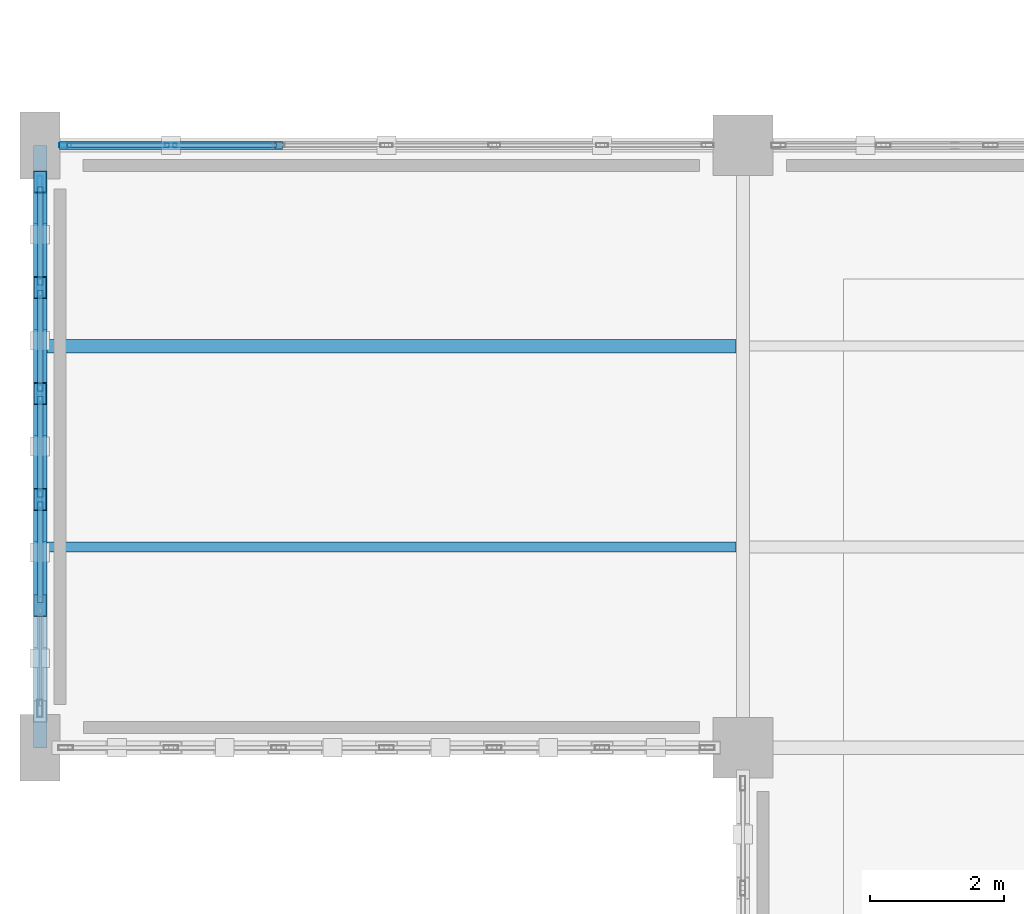
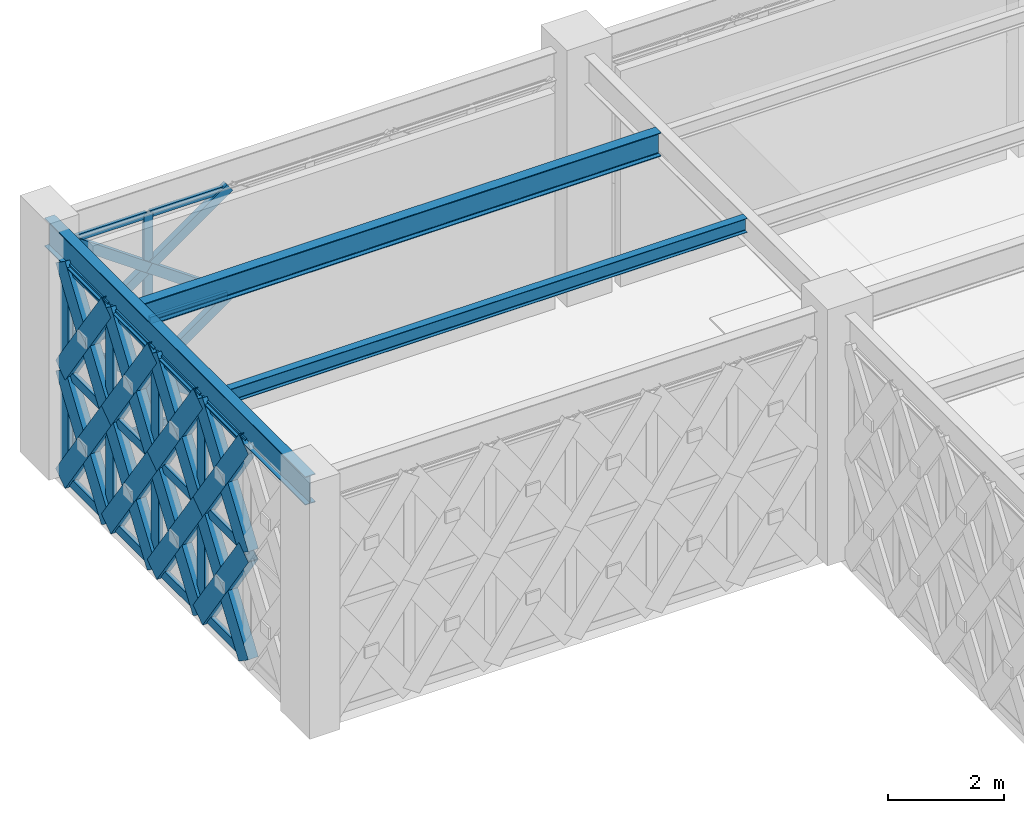
# One storey, part 20 of 155: 54 members, 3 beams, 2 elements without a shape of their own.
"""IFC4 building model written with IfcOpenShell, lengths in metres."""

from ifc_helpers import new_model, si_unit, direction, frame, origin, origin_2d, place, context, subcontext, project, spatial, hollow_rectangle, i_section, extrude, material, material_profile, profile_set, type_object, element, aggregate, save


model = new_model("IFC4")

# Units and contexts
model_context = context("Model", 3, precision=1e-05, world=origin(), true_north=direction((0.0, 1.0)))
body_context = subcontext(model_context, "Body", "Model", "MODEL_VIEW")
ifc_project = project(units=[si_unit("LENGTHUNIT", "METRE"), si_unit("AREAUNIT", "SQUARE_METRE"), si_unit("VOLUMEUNIT", "CUBIC_METRE"), si_unit("PLANEANGLEUNIT", "RADIAN"), si_unit("MASSUNIT", "GRAM", prefix="KILO")], contexts=[model_context])

# Site, building, storey
site_placement = place(None, origin())
site = spatial("IfcSite", under=ifc_project, at=site_placement, CompositionType="ELEMENT")
building_placement = place(site_placement, origin())
building = spatial("IfcBuilding", under=site, at=building_placement, Name="Haizhuo Lancet Aquarium", CompositionType="ELEMENT")
storey_placement = place(building_placement, frame((0.0, 0.0, 10.800048828125)))
storey = spatial("IfcBuildingStorey", under=building, at=storey_placement, Name="L02", CompositionType="ELEMENT", Elevation=10.800048828125)

# Beam
ifc_material_1 = material(Name="Steel S355", Category="steel")
ifc_material_profile_1 = material_profile(ifc_material_1, i_section(OverallWidth=0.199951171875, OverallDepth=0.60009765625, WebThickness=0.010986328125, FlangeThickness=0.01708984375, FilletRadius=0.02197265625, at=origin_2d()), Name="HN 600x200x11x17")
ifc_profile_set_1 = profile_set([ifc_material_profile_1], Name="Steel S355")
beam_type_1 = type_object("IfcBeamType", Name="BM-ST-HN600", PredefinedType="BEAM", material=ifc_profile_set_1)
beam_1_placement = place(storey_placement, frame((-82.5, -18.0, 4.85986328125), z_axis=(0.0, 1.0, 0.0), x_axis=(-1.0, 0.0, 0.0)))
element("IfcBeam", 1, at=beam_1_placement, inside=storey, type_object=beam_type_1, Name="L02 V6 primary girder BM-L02-V6-001", PredefinedType="BEAM", context=body_context, shape_type="SweptSolid", body=[
    extrude(i_section(OverallWidth=0.199951171875, OverallDepth=0.60009765625, WebThickness=0.010986328125, FlangeThickness=0.01708984375, FilletRadius=0.02197265625, at=origin_2d()), origin(), (0.0, 0.0, 1.0), 9.0),
])

# Curtain wall, members
ifc_material_2 = material(Name="Aluminium 6063-T6", Category="aluminium")
curtain_wall_type_1 = type_object("IfcCurtainWallType", Name="CWO-9660x4560", PredefinedType="NOTDEFINED", material=ifc_material_2)
curtain_wall_1_placement = place(storey_placement, origin())
curtain_wall_1 = element("IfcCurtainWall", 2, at=curtain_wall_1_placement, inside=storey, type_object=curtain_wall_type_1, Name="L02 curtain wall CW-V6-L02-214", PredefinedType="NOTDEFINED")
ifc_material_profile_2 = material_profile(ifc_material_2, hollow_rectangle(XDim=0.06494140625, YDim=0.179931640625, WallThickness=0.00390625, at=origin_2d()), Name="ALU-M 65x180x4")
ifc_profile_set_2 = profile_set([ifc_material_profile_2], Name="Aluminium 6063-T6")
member_type_1 = type_object("IfcMemberType", Name="CW-MUL-1", PredefinedType="MULLION", material=ifc_profile_set_2)
member_1_placement = place(storey_placement, frame((-82.123046875, -9.0, 0.0), z_axis=(0.0, 0.0, 1.0), x_axis=(0.0, 1.0, 0.0)))
member_1 = element("IfcMember", 3, at=member_1_placement, type_object=member_type_1, Name="CWO-96x45 mullion 1", PredefinedType="MULLION", context=body_context, shape_type="SweptSolid", body=[
    extrude(hollow_rectangle(XDim=0.06494140625, YDim=0.179931640625, WallThickness=0.00390625, at=origin_2d()), origin(), (0.0, 0.0, 1.0), 4.56005859375),
])
member_2_placement = place(storey_placement, frame((-80.544921875, -9.0, 0.0), z_axis=(0.0, 0.0, 1.0), x_axis=(0.0, 1.0, 0.0)))
member_2 = element("IfcMember", 4, at=member_2_placement, type_object=member_type_1, Name="CWO-96x45 mullion 2", PredefinedType="MULLION", context=body_context, shape_type="SweptSolid", body=[
    extrude(hollow_rectangle(XDim=0.06494140625, YDim=0.179931640625, WallThickness=0.00390625, at=origin_2d()), origin(), (0.0, 0.0, 1.0), 4.56005859375),
])

curtain_wall_type_2 = type_object("IfcCurtainWallType", Name="CWD-7910x4560", PredefinedType="NOTDEFINED", material=ifc_material_2)
curtain_wall_2_placement = place(storey_placement, origin())
curtain_wall_2 = element("IfcCurtainWall", 5, at=curtain_wall_2_placement, inside=storey, type_object=curtain_wall_type_2, Name="L02 curtain wall CW-V6-L02-213", PredefinedType="NOTDEFINED")
ifc_material_profile_3 = material_profile(ifc_material_2, hollow_rectangle(XDim=0.080078125, YDim=0.260009765625, WallThickness=0.0048828125, at=origin_2d()), Name="ALU-M 80x260x5")
ifc_profile_set_3 = profile_set([ifc_material_profile_3], Name="Aluminium 6063-T6")
member_type_2 = type_object("IfcMemberType", Name="CW-MUL-3", PredefinedType="MULLION", material=ifc_profile_set_3)
member_3_placement = place(storey_placement, frame((-82.5, -14.291015625, 0.0), z_axis=(0.0, 0.0, 1.0), x_axis=(-1.0, 0.0, 0.0)))
member_3 = element("IfcMember", 6, at=member_3_placement, type_object=member_type_2, Name="CWD-79x45 mullion 3", PredefinedType="MULLION", context=body_context, shape_type="SweptSolid", body=[
    extrude(hollow_rectangle(XDim=0.080078125, YDim=0.260009765625, WallThickness=0.0048828125, at=origin_2d()), origin(), (0.0, 0.0, 1.0), 4.56005859375),
])
member_4_placement = place(storey_placement, frame((-82.5, -12.708984375, 0.0), z_axis=(0.0, 0.0, 1.0), x_axis=(-1.0, 0.0, 0.0)))
member_4 = element("IfcMember", 7, at=member_4_placement, type_object=member_type_2, Name="CWD-79x45 mullion 4", PredefinedType="MULLION", context=body_context, shape_type="SweptSolid", body=[
    extrude(hollow_rectangle(XDim=0.080078125, YDim=0.260009765625, WallThickness=0.0048828125, at=origin_2d()), origin(), (0.0, 0.0, 1.0), 4.56005859375),
])
member_5_placement = place(storey_placement, frame((-82.5, -11.126953125, 0.0), z_axis=(0.0, 0.0, 1.0), x_axis=(-1.0, 0.0, 0.0)))
member_5 = element("IfcMember", 8, at=member_5_placement, type_object=member_type_2, Name="CWD-79x45 mullion 5", PredefinedType="MULLION", context=body_context, shape_type="SweptSolid", body=[
    extrude(hollow_rectangle(XDim=0.080078125, YDim=0.260009765625, WallThickness=0.0048828125, at=origin_2d()), origin(), (0.0, 0.0, 1.0), 4.56005859375),
])
member_6_placement = place(storey_placement, frame((-82.5, -9.5849609375, 0.0), z_axis=(0.0, 0.0, 1.0), x_axis=(-1.0, 0.0, 0.0)))
member_6 = element("IfcMember", 9, at=member_6_placement, type_object=member_type_2, Name="CWD-79x45 mullion 6", PredefinedType="MULLION", context=body_context, shape_type="SweptSolid", body=[
    extrude(hollow_rectangle(XDim=0.080078125, YDim=0.260009765625, WallThickness=0.0048828125, at=origin_2d()), origin(), (0.0, 0.0, 1.0), 4.56005859375),
])

# Member
ifc_material_profile_4 = material_profile(ifc_material_2, hollow_rectangle(XDim=0.06494140625, YDim=0.139892578125, WallThickness=0.00390625, at=origin_2d()), Name="ALU-T 65x140x4")
ifc_profile_set_4 = profile_set([ifc_material_profile_4], Name="Aluminium 6063-T6")
member_type_3 = type_object("IfcMemberType", Name="CW-TRN-1", PredefinedType="NOTDEFINED", material=ifc_profile_set_4)
member_7_placement = place(storey_placement, frame((-82.090087890625, -9.0, 0.032958984375), z_axis=(1.0, 0.0, 0.0), x_axis=(0.0, 1.0, 0.0)))
member_7 = element("IfcMember", 10, at=member_7_placement, type_object=member_type_3, Name="CWO-96x45 transom 1.1", ObjectType="TRANSOM", PredefinedType="USERDEFINED", context=body_context, shape_type="SweptSolid", body=[
    extrude(hollow_rectangle(XDim=0.06494140625, YDim=0.139892578125, WallThickness=0.00390625, at=origin_2d()), origin(), (0.0, 0.0, 1.0), 1.51220703125),
])

member_8_placement = place(storey_placement, frame((-82.090087890625, -9.0, 2.280029296875), z_axis=(1.0, 0.0, 0.0), x_axis=(0.0, 1.0, 0.0)))
member_8 = element("IfcMember", 11, at=member_8_placement, type_object=member_type_3, Name="CWO-96x45 transom 1.2", ObjectType="TRANSOM", PredefinedType="USERDEFINED", context=body_context, shape_type="SweptSolid", body=[
    extrude(hollow_rectangle(XDim=0.06494140625, YDim=0.139892578125, WallThickness=0.00390625, at=origin_2d()), origin(), (0.0, 0.0, 1.0), 1.51220703125),
])

member_9_placement = place(storey_placement, frame((-82.090087890625, -9.0, 4.52685546875), z_axis=(1.0, 0.0, 0.0), x_axis=(0.0, 1.0, 0.0)))
member_9 = element("IfcMember", 12, at=member_9_placement, type_object=member_type_3, Name="CWO-96x45 transom 1.3", ObjectType="TRANSOM", PredefinedType="USERDEFINED", context=body_context, shape_type="SweptSolid", body=[
    extrude(hollow_rectangle(XDim=0.06494140625, YDim=0.139892578125, WallThickness=0.00390625, at=origin_2d()), origin(), (0.0, 0.0, 1.0), 1.51220703125),
])

member_10_placement = place(storey_placement, frame((-80.512939453125, -9.0, 0.032958984375), z_axis=(1.0, 0.0, 0.0), x_axis=(0.0, 1.0, 0.0)))
member_10 = element("IfcMember", 13, at=member_10_placement, type_object=member_type_3, Name="CWO-96x45 transom 2.1", ObjectType="TRANSOM", PredefinedType="USERDEFINED", context=body_context, shape_type="SweptSolid", body=[
    extrude(hollow_rectangle(XDim=0.06494140625, YDim=0.139892578125, WallThickness=0.00390625, at=origin_2d()), origin(), (0.0, 0.0, 1.0), 1.544921875),
])

member_11_placement = place(storey_placement, frame((-80.512939453125, -9.0, 2.280029296875), z_axis=(1.0, 0.0, 0.0), x_axis=(0.0, 1.0, 0.0)))
member_11 = element("IfcMember", 14, at=member_11_placement, type_object=member_type_3, Name="CWO-96x45 transom 2.2", ObjectType="TRANSOM", PredefinedType="USERDEFINED", context=body_context, shape_type="SweptSolid", body=[
    extrude(hollow_rectangle(XDim=0.06494140625, YDim=0.139892578125, WallThickness=0.00390625, at=origin_2d()), origin(), (0.0, 0.0, 1.0), 1.544921875),
])

member_12_placement = place(storey_placement, frame((-80.512939453125, -9.0, 4.52685546875), z_axis=(1.0, 0.0, 0.0), x_axis=(0.0, 1.0, 0.0)))
member_12 = element("IfcMember", 15, at=member_12_placement, type_object=member_type_3, Name="CWO-96x45 transom 2.3", ObjectType="TRANSOM", PredefinedType="USERDEFINED", context=body_context, shape_type="SweptSolid", body=[
    extrude(hollow_rectangle(XDim=0.06494140625, YDim=0.139892578125, WallThickness=0.00390625, at=origin_2d()), origin(), (0.0, 0.0, 1.0), 1.544921875),
])

aggregate(curtain_wall_1, [member_1, member_2, member_7, member_8, member_9, member_10, member_11, member_12])

ifc_material_profile_5 = material_profile(ifc_material_2, hollow_rectangle(XDim=0.080078125, YDim=0.18994140625, WallThickness=0.0048828125, at=origin_2d()), Name="ALU-T 80x190x5")
ifc_profile_set_5 = profile_set([ifc_material_profile_5], Name="Aluminium 6063-T6")
member_type_4 = type_object("IfcMemberType", Name="CW-TRN-3", PredefinedType="NOTDEFINED", material=ifc_profile_set_5)
member_13_placement = place(storey_placement, frame((-82.5, -15.8330078125, 0.0400390625), z_axis=(0.0, 1.0, 0.0), x_axis=(-1.0, 0.0, 0.0)))
member_13 = element("IfcMember", 16, at=member_13_placement, type_object=member_type_4, Name="CWD-79x45 transom 2.1", ObjectType="TRANSOM", PredefinedType="USERDEFINED", context=body_context, shape_type="SweptSolid", body=[
    extrude(hollow_rectangle(XDim=0.080078125, YDim=0.18994140625, WallThickness=0.0048828125, at=origin_2d()), origin(), (0.0, 0.0, 1.0), 1.501953125),
])

member_14_placement = place(storey_placement, frame((-82.5, -15.8330078125, 2.280029296875), z_axis=(0.0, 1.0, 0.0), x_axis=(-1.0, 0.0, 0.0)))
member_14 = element("IfcMember", 17, at=member_14_placement, type_object=member_type_4, Name="CWD-79x45 transom 2.2", ObjectType="TRANSOM", PredefinedType="USERDEFINED", context=body_context, shape_type="SweptSolid", body=[
    extrude(hollow_rectangle(XDim=0.080078125, YDim=0.18994140625, WallThickness=0.0048828125, at=origin_2d()), origin(), (0.0, 0.0, 1.0), 1.501953125),
])

member_15_placement = place(storey_placement, frame((-82.5, -15.8330078125, 4.52001953125), z_axis=(0.0, 1.0, 0.0), x_axis=(-1.0, 0.0, 0.0)))
member_15 = element("IfcMember", 18, at=member_15_placement, type_object=member_type_4, Name="CWD-79x45 transom 2.3", ObjectType="TRANSOM", PredefinedType="USERDEFINED", context=body_context, shape_type="SweptSolid", body=[
    extrude(hollow_rectangle(XDim=0.080078125, YDim=0.18994140625, WallThickness=0.0048828125, at=origin_2d()), origin(), (0.0, 0.0, 1.0), 1.501953125),
])

member_16_placement = place(storey_placement, frame((-82.5, -14.2509765625, 0.0400390625), z_axis=(0.0, 1.0, 0.0), x_axis=(-1.0, 0.0, 0.0)))
member_16 = element("IfcMember", 19, at=member_16_placement, type_object=member_type_4, Name="CWD-79x45 transom 3.1", ObjectType="TRANSOM", PredefinedType="USERDEFINED", context=body_context, shape_type="SweptSolid", body=[
    extrude(hollow_rectangle(XDim=0.080078125, YDim=0.18994140625, WallThickness=0.0048828125, at=origin_2d()), origin(), (0.0, 0.0, 1.0), 1.501953125),
])

member_17_placement = place(storey_placement, frame((-82.5, -14.2509765625, 2.280029296875), z_axis=(0.0, 1.0, 0.0), x_axis=(-1.0, 0.0, 0.0)))
member_17 = element("IfcMember", 20, at=member_17_placement, type_object=member_type_4, Name="CWD-79x45 transom 3.2", ObjectType="TRANSOM", PredefinedType="USERDEFINED", context=body_context, shape_type="SweptSolid", body=[
    extrude(hollow_rectangle(XDim=0.080078125, YDim=0.18994140625, WallThickness=0.0048828125, at=origin_2d()), origin(), (0.0, 0.0, 1.0), 1.501953125),
])

member_18_placement = place(storey_placement, frame((-82.5, -14.2509765625, 4.52001953125), z_axis=(0.0, 1.0, 0.0), x_axis=(-1.0, 0.0, 0.0)))
member_18 = element("IfcMember", 21, at=member_18_placement, type_object=member_type_4, Name="CWD-79x45 transom 3.3", ObjectType="TRANSOM", PredefinedType="USERDEFINED", context=body_context, shape_type="SweptSolid", body=[
    extrude(hollow_rectangle(XDim=0.080078125, YDim=0.18994140625, WallThickness=0.0048828125, at=origin_2d()), origin(), (0.0, 0.0, 1.0), 1.501953125),
])

member_19_placement = place(storey_placement, frame((-82.5, -12.6689453125, 0.0400390625), z_axis=(0.0, 1.0, 0.0), x_axis=(-1.0, 0.0, 0.0)))
member_19 = element("IfcMember", 22, at=member_19_placement, type_object=member_type_4, Name="CWD-79x45 transom 4.1", ObjectType="TRANSOM", PredefinedType="USERDEFINED", context=body_context, shape_type="SweptSolid", body=[
    extrude(hollow_rectangle(XDim=0.080078125, YDim=0.18994140625, WallThickness=0.0048828125, at=origin_2d()), origin(), (0.0, 0.0, 1.0), 1.501953125),
])

member_20_placement = place(storey_placement, frame((-82.5, -12.6689453125, 2.280029296875), z_axis=(0.0, 1.0, 0.0), x_axis=(-1.0, 0.0, 0.0)))
member_20 = element("IfcMember", 23, at=member_20_placement, type_object=member_type_4, Name="CWD-79x45 transom 4.2", ObjectType="TRANSOM", PredefinedType="USERDEFINED", context=body_context, shape_type="SweptSolid", body=[
    extrude(hollow_rectangle(XDim=0.080078125, YDim=0.18994140625, WallThickness=0.0048828125, at=origin_2d()), origin(), (0.0, 0.0, 1.0), 1.501953125),
])

member_21_placement = place(storey_placement, frame((-82.5, -12.6689453125, 4.52001953125), z_axis=(0.0, 1.0, 0.0), x_axis=(-1.0, 0.0, 0.0)))
member_21 = element("IfcMember", 24, at=member_21_placement, type_object=member_type_4, Name="CWD-79x45 transom 4.3", ObjectType="TRANSOM", PredefinedType="USERDEFINED", context=body_context, shape_type="SweptSolid", body=[
    extrude(hollow_rectangle(XDim=0.080078125, YDim=0.18994140625, WallThickness=0.0048828125, at=origin_2d()), origin(), (0.0, 0.0, 1.0), 1.501953125),
])

member_22_placement = place(storey_placement, frame((-82.5, -11.0869140625, 0.0400390625), z_axis=(0.0, 1.0, 0.0), x_axis=(-1.0, 0.0, 0.0)))
member_22 = element("IfcMember", 25, at=member_22_placement, type_object=member_type_4, Name="CWD-79x45 transom 5.1", ObjectType="TRANSOM", PredefinedType="USERDEFINED", context=body_context, shape_type="SweptSolid", body=[
    extrude(hollow_rectangle(XDim=0.080078125, YDim=0.18994140625, WallThickness=0.0048828125, at=origin_2d()), origin(), (0.0, 0.0, 1.0), 1.4619140625),
])

member_23_placement = place(storey_placement, frame((-82.5, -11.0869140625, 2.280029296875), z_axis=(0.0, 1.0, 0.0), x_axis=(-1.0, 0.0, 0.0)))
member_23 = element("IfcMember", 26, at=member_23_placement, type_object=member_type_4, Name="CWD-79x45 transom 5.2", ObjectType="TRANSOM", PredefinedType="USERDEFINED", context=body_context, shape_type="SweptSolid", body=[
    extrude(hollow_rectangle(XDim=0.080078125, YDim=0.18994140625, WallThickness=0.0048828125, at=origin_2d()), origin(), (0.0, 0.0, 1.0), 1.4619140625),
])

member_24_placement = place(storey_placement, frame((-82.5, -11.0869140625, 4.52001953125), z_axis=(0.0, 1.0, 0.0), x_axis=(-1.0, 0.0, 0.0)))
member_24 = element("IfcMember", 27, at=member_24_placement, type_object=member_type_4, Name="CWD-79x45 transom 5.3", ObjectType="TRANSOM", PredefinedType="USERDEFINED", context=body_context, shape_type="SweptSolid", body=[
    extrude(hollow_rectangle(XDim=0.080078125, YDim=0.18994140625, WallThickness=0.0048828125, at=origin_2d()), origin(), (0.0, 0.0, 1.0), 1.4619140625),
])

aggregate(curtain_wall_2, [member_3, member_4, member_5, member_6, member_13, member_14, member_15, member_16, member_17, member_18, member_19, member_20, member_21, member_22, member_23, member_24])

# Beams
ifc_material_profile_6 = material_profile(ifc_material_1, i_section(OverallWidth=0.14990234375, OverallDepth=0.300048828125, WebThickness=0.006591796875, FlangeThickness=0.009033203125, FilletRadius=0.012939453125, at=origin_2d()), Name="HN 300x150x6.5x9")
ifc_profile_set_6 = profile_set([ifc_material_profile_6], Name="Steel S355")
beam_type_2 = type_object("IfcBeamType", Name="JST-ST-HN300", PredefinedType="JOIST", material=ifc_profile_set_6)
beam_2_placement = place(storey_placement, frame((-82.39990234375, -15.0, 5.010009765625), z_axis=(1.0, 0.0, 0.0), x_axis=(0.0, 1.0, 0.0)))
element("IfcBeam", 28, at=beam_2_placement, inside=storey, type_object=beam_type_2, Name="L02 V6 secondary floor joist 1", PredefinedType="JOIST", context=body_context, shape_type="SweptSolid", body=[
    extrude(i_section(OverallWidth=0.14990234375, OverallDepth=0.300048828125, WebThickness=0.006591796875, FlangeThickness=0.009033203125, FilletRadius=0.012939453125, at=origin_2d()), origin(), (0.0, 0.0, 1.0), 10.2998046875),
])
ifc_material_profile_7 = material_profile(ifc_material_1, i_section(OverallWidth=0.199951171875, OverallDepth=0.5, WebThickness=0.010009765625, FlangeThickness=0.01611328125, FilletRadius=0.02001953125, at=origin_2d()), Name="HN 500x200x10x16")
ifc_profile_set_7 = profile_set([ifc_material_profile_7], Name="Steel S355")
beam_type_3 = type_object("IfcBeamType", Name="JST-ST-HN500", PredefinedType="JOIST", material=ifc_profile_set_7)
beam_3_placement = place(storey_placement, frame((-82.39990234375, -12.0, 4.909912109375), z_axis=(1.0, 0.0, 0.0), x_axis=(0.0, 1.0, 0.0)))
element("IfcBeam", 29, at=beam_3_placement, inside=storey, type_object=beam_type_3, Name="L02 V6 secondary floor joist 2", PredefinedType="JOIST", context=body_context, shape_type="SweptSolid", body=[
    extrude(i_section(OverallWidth=0.199951171875, OverallDepth=0.5, WebThickness=0.010009765625, FlangeThickness=0.01611328125, FilletRadius=0.02001953125, at=origin_2d()), origin(), (0.0, 0.0, 1.0), 10.2998046875),
])

# Members
ifc_material_profile_8 = material_profile(ifc_material_1, hollow_rectangle(XDim=0.1201171875, YDim=0.199951171875, WallThickness=0.008056640625, at=origin_2d()), Name="RHS 120x200x8")
ifc_profile_set_8 = profile_set([ifc_material_profile_8], Name="Steel S355")
member_type_5 = type_object("IfcMemberType", Name="MEM-LB-RHS120x200", PredefinedType="BRACE", material=ifc_profile_set_8)
member_25_placement = place(storey_placement, frame((-82.155029296875, -9.0, 0.0), z_axis=(0.816118111101, 0.0, 0.577885134549), x_axis=(0.0, 1.0, 0.0)))
element("IfcMember", 30, at=member_25_placement, inside=storey, type_object=member_type_5, Name="Gothic lancet continuous diagonal brace CW-V6-L02-214 1A", PredefinedType="BRACE", context=body_context, shape_type="SweptSolid", body=[
    extrude(hollow_rectangle(XDim=0.1201171875, YDim=0.199951171875, WallThickness=0.008056640625, at=origin_2d()), origin(), (0.0, 0.0, 1.0), 3.945556640625),
])
member_26_placement = place(storey_placement, frame((-78.93505859375, -9.0, 0.0), z_axis=(-0.816126630667, 0.0, 0.577873102606), x_axis=(0.0, -1.0, 0.0)))
element("IfcMember", 31, at=member_26_placement, inside=storey, type_object=member_type_5, Name="Gothic lancet split diagonal brace CW-V6-L02-214 1B1", PredefinedType="BRACE", context=body_context, shape_type="SweptSolid", body=[
    extrude(hollow_rectangle(XDim=0.1201171875, YDim=0.199951171875, WallThickness=0.008056640625, at=origin_2d()), origin(), (0.0, 0.0, 1.0), 1.97265625),
])
member_27_placement = place(storey_placement, frame((-80.544921875, -9.0, 1.139892578125), z_axis=(-0.816109592827, 0.0, 0.577897164291), x_axis=(0.0, -1.0, 0.0)))
element("IfcMember", 32, at=member_27_placement, inside=storey, type_object=member_type_5, Name="Gothic lancet split diagonal brace CW-V6-L02-214 1B2", PredefinedType="BRACE", context=body_context, shape_type="SweptSolid", body=[
    extrude(hollow_rectangle(XDim=0.1201171875, YDim=0.199951171875, WallThickness=0.008056640625, at=origin_2d()), origin(), (0.0, 0.0, 1.0), 1.972900390625),
])
member_28_placement = place(storey_placement, frame((-82.155029296875, -9.0, 2.280029296875), z_axis=(0.816118111101, 0.0, 0.577885134549), x_axis=(0.0, 1.0, 0.0)))
element("IfcMember", 33, at=member_28_placement, inside=storey, type_object=member_type_5, Name="Gothic lancet continuous diagonal brace CW-V6-L02-214 2A", PredefinedType="BRACE", context=body_context, shape_type="SweptSolid", body=[
    extrude(hollow_rectangle(XDim=0.1201171875, YDim=0.199951171875, WallThickness=0.008056640625, at=origin_2d()), origin(), (0.0, 0.0, 1.0), 3.945556640625),
])
member_29_placement = place(storey_placement, frame((-78.93505859375, -9.0, 2.280029296875), z_axis=(-0.816126630667, 0.0, 0.577873102606), x_axis=(0.0, -1.0, 0.0)))
element("IfcMember", 34, at=member_29_placement, inside=storey, type_object=member_type_5, Name="Gothic lancet split diagonal brace CW-V6-L02-214 2B1", PredefinedType="BRACE", context=body_context, shape_type="SweptSolid", body=[
    extrude(hollow_rectangle(XDim=0.1201171875, YDim=0.199951171875, WallThickness=0.008056640625, at=origin_2d()), origin(), (0.0, 0.0, 1.0), 1.97265625),
])
member_30_placement = place(storey_placement, frame((-80.544921875, -9.0, 3.419921875), z_axis=(-0.816109592827, 0.0, 0.577897164291), x_axis=(0.0, -1.0, 0.0)))
element("IfcMember", 35, at=member_30_placement, inside=storey, type_object=member_type_5, Name="Gothic lancet split diagonal brace CW-V6-L02-214 2B2", PredefinedType="BRACE", context=body_context, shape_type="SweptSolid", body=[
    extrude(hollow_rectangle(XDim=0.1201171875, YDim=0.199951171875, WallThickness=0.008056640625, at=origin_2d()), origin(), (0.0, 0.0, 1.0), 1.972900390625),
])
ifc_material_profile_9 = material_profile(ifc_material_1, hollow_rectangle(XDim=0.199951171875, YDim=0.39990234375, WallThickness=0.011962890625, at=origin_2d()), Name="RHS 200x400x12")
ifc_profile_set_9 = profile_set([ifc_material_profile_9], Name="Steel S355")
member_type_6 = type_object("IfcMemberType", Name="MEM-LB-RHS200x400", PredefinedType="BRACE", material=ifc_profile_set_9)
member_31_placement = place(storey_placement, frame((-82.5, -15.873046875, 0.0), z_axis=(0.0, 0.570074276753, 0.821593159042), x_axis=(-1.0, 0.0, 0.0)))
element("IfcMember", 36, at=member_31_placement, inside=storey, type_object=member_type_6, Name="Gothic lancet continuous diagonal brace CW-V6-L02-213 3A", PredefinedType="BRACE", context=body_context, shape_type="SweptSolid", body=[
    extrude(hollow_rectangle(XDim=0.199951171875, YDim=0.39990234375, WallThickness=0.011962890625, at=origin_2d()), origin(), (0.0, 0.0, 1.0), 2.775146484375),
])
member_32_placement = place(storey_placement, frame((-82.5, -14.291015625, 0.0), z_axis=(0.0, -0.570115483519, 0.821564565602), x_axis=(1.0, 0.0, 0.0)))
element("IfcMember", 37, at=member_32_placement, inside=storey, type_object=member_type_6, Name="Gothic lancet split diagonal brace CW-V6-L02-213 3B1", PredefinedType="BRACE", context=body_context, shape_type="SweptSolid", body=[
    extrude(hollow_rectangle(XDim=0.199951171875, YDim=0.39990234375, WallThickness=0.011962890625, at=origin_2d()), origin(), (0.0, 0.0, 1.0), 1.387451171875),
])
member_33_placement = place(storey_placement, frame((-82.5, -15.08203125, 1.139892578125), z_axis=(0.0, -0.570033074509, 0.821621746283), x_axis=(1.0, 0.0, 0.0)))
element("IfcMember", 38, at=member_33_placement, inside=storey, type_object=member_type_6, Name="Gothic lancet split diagonal brace CW-V6-L02-213 3B2", PredefinedType="BRACE", context=body_context, shape_type="SweptSolid", body=[
    extrude(hollow_rectangle(XDim=0.199951171875, YDim=0.39990234375, WallThickness=0.011962890625, at=origin_2d()), origin(), (0.0, 0.0, 1.0), 1.3876953125),
])
member_34_placement = place(storey_placement, frame((-82.5, -15.873046875, 2.280029296875), z_axis=(0.0, 0.570074276753, 0.821593159042), x_axis=(-1.0, 0.0, 0.0)))
element("IfcMember", 39, at=member_34_placement, inside=storey, type_object=member_type_6, Name="Gothic lancet continuous diagonal brace CW-V6-L02-213 4A", PredefinedType="BRACE", context=body_context, shape_type="SweptSolid", body=[
    extrude(hollow_rectangle(XDim=0.199951171875, YDim=0.39990234375, WallThickness=0.011962890625, at=origin_2d()), origin(), (0.0, 0.0, 1.0), 2.775146484375),
])
member_35_placement = place(storey_placement, frame((-82.5, -14.291015625, 2.280029296875), z_axis=(0.0, -0.570115483519, 0.821564565602), x_axis=(1.0, 0.0, 0.0)))
element("IfcMember", 40, at=member_35_placement, inside=storey, type_object=member_type_6, Name="Gothic lancet split diagonal brace CW-V6-L02-213 4B1", PredefinedType="BRACE", context=body_context, shape_type="SweptSolid", body=[
    extrude(hollow_rectangle(XDim=0.199951171875, YDim=0.39990234375, WallThickness=0.011962890625, at=origin_2d()), origin(), (0.0, 0.0, 1.0), 1.387451171875),
])
member_36_placement = place(storey_placement, frame((-82.5, -15.08203125, 3.419921875), z_axis=(0.0, -0.570033074509, 0.821621746283), x_axis=(1.0, 0.0, 0.0)))
element("IfcMember", 41, at=member_36_placement, inside=storey, type_object=member_type_6, Name="Gothic lancet split diagonal brace CW-V6-L02-213 4B2", PredefinedType="BRACE", context=body_context, shape_type="SweptSolid", body=[
    extrude(hollow_rectangle(XDim=0.199951171875, YDim=0.39990234375, WallThickness=0.011962890625, at=origin_2d()), origin(), (0.0, 0.0, 1.0), 1.3876953125),
])
member_37_placement = place(storey_placement, frame((-82.5, -14.291015625, 0.0), z_axis=(0.0, 0.570074276753, 0.821593159042), x_axis=(-1.0, 0.0, 0.0)))
element("IfcMember", 42, at=member_37_placement, inside=storey, type_object=member_type_6, Name="Gothic lancet continuous diagonal brace CW-V6-L02-213 5A", PredefinedType="BRACE", context=body_context, shape_type="SweptSolid", body=[
    extrude(hollow_rectangle(XDim=0.199951171875, YDim=0.39990234375, WallThickness=0.011962890625, at=origin_2d()), origin(), (0.0, 0.0, 1.0), 2.775146484375),
])
member_38_placement = place(storey_placement, frame((-82.5, -12.708984375, 0.0), z_axis=(0.0, -0.570115483519, 0.821564565602), x_axis=(1.0, 0.0, 0.0)))
element("IfcMember", 43, at=member_38_placement, inside=storey, type_object=member_type_6, Name="Gothic lancet split diagonal brace CW-V6-L02-213 5B1", PredefinedType="BRACE", context=body_context, shape_type="SweptSolid", body=[
    extrude(hollow_rectangle(XDim=0.199951171875, YDim=0.39990234375, WallThickness=0.011962890625, at=origin_2d()), origin(), (0.0, 0.0, 1.0), 1.387451171875),
])
member_39_placement = place(storey_placement, frame((-82.5, -13.5, 1.139892578125), z_axis=(0.0, -0.570033074509, 0.821621746283), x_axis=(1.0, 0.0, 0.0)))
element("IfcMember", 44, at=member_39_placement, inside=storey, type_object=member_type_6, Name="Gothic lancet split diagonal brace CW-V6-L02-213 5B2", PredefinedType="BRACE", context=body_context, shape_type="SweptSolid", body=[
    extrude(hollow_rectangle(XDim=0.199951171875, YDim=0.39990234375, WallThickness=0.011962890625, at=origin_2d()), origin(), (0.0, 0.0, 1.0), 1.3876953125),
])
member_40_placement = place(storey_placement, frame((-82.5, -14.291015625, 2.280029296875), z_axis=(0.0, 0.570074276753, 0.821593159042), x_axis=(-1.0, 0.0, 0.0)))
element("IfcMember", 45, at=member_40_placement, inside=storey, type_object=member_type_6, Name="Gothic lancet continuous diagonal brace CW-V6-L02-213 6A", PredefinedType="BRACE", context=body_context, shape_type="SweptSolid", body=[
    extrude(hollow_rectangle(XDim=0.199951171875, YDim=0.39990234375, WallThickness=0.011962890625, at=origin_2d()), origin(), (0.0, 0.0, 1.0), 2.775146484375),
])
member_41_placement = place(storey_placement, frame((-82.5, -12.708984375, 2.280029296875), z_axis=(0.0, -0.570115483519, 0.821564565602), x_axis=(1.0, 0.0, 0.0)))
element("IfcMember", 46, at=member_41_placement, inside=storey, type_object=member_type_6, Name="Gothic lancet split diagonal brace CW-V6-L02-213 6B1", PredefinedType="BRACE", context=body_context, shape_type="SweptSolid", body=[
    extrude(hollow_rectangle(XDim=0.199951171875, YDim=0.39990234375, WallThickness=0.011962890625, at=origin_2d()), origin(), (0.0, 0.0, 1.0), 1.387451171875),
])
member_42_placement = place(storey_placement, frame((-82.5, -13.5, 3.419921875), z_axis=(0.0, -0.570033074509, 0.821621746283), x_axis=(1.0, 0.0, 0.0)))
element("IfcMember", 47, at=member_42_placement, inside=storey, type_object=member_type_6, Name="Gothic lancet split diagonal brace CW-V6-L02-213 6B2", PredefinedType="BRACE", context=body_context, shape_type="SweptSolid", body=[
    extrude(hollow_rectangle(XDim=0.199951171875, YDim=0.39990234375, WallThickness=0.011962890625, at=origin_2d()), origin(), (0.0, 0.0, 1.0), 1.3876953125),
])
member_43_placement = place(storey_placement, frame((-82.5, -12.708984375, 0.0), z_axis=(0.0, 0.570074276753, 0.821593159042), x_axis=(-1.0, 0.0, 0.0)))
element("IfcMember", 48, at=member_43_placement, inside=storey, type_object=member_type_6, Name="Gothic lancet continuous diagonal brace CW-V6-L02-213 7A", PredefinedType="BRACE", context=body_context, shape_type="SweptSolid", body=[
    extrude(hollow_rectangle(XDim=0.199951171875, YDim=0.39990234375, WallThickness=0.011962890625, at=origin_2d()), origin(), (0.0, 0.0, 1.0), 2.775146484375),
])
member_44_placement = place(storey_placement, frame((-82.5, -11.126953125, 0.0), z_axis=(0.0, -0.570115483519, 0.821564565602), x_axis=(1.0, 0.0, 0.0)))
element("IfcMember", 49, at=member_44_placement, inside=storey, type_object=member_type_6, Name="Gothic lancet split diagonal brace CW-V6-L02-213 7B1", PredefinedType="BRACE", context=body_context, shape_type="SweptSolid", body=[
    extrude(hollow_rectangle(XDim=0.199951171875, YDim=0.39990234375, WallThickness=0.011962890625, at=origin_2d()), origin(), (0.0, 0.0, 1.0), 1.387451171875),
])
member_45_placement = place(storey_placement, frame((-82.5, -11.91796875, 1.139892578125), z_axis=(0.0, -0.570033074509, 0.821621746283), x_axis=(1.0, 0.0, 0.0)))
element("IfcMember", 50, at=member_45_placement, inside=storey, type_object=member_type_6, Name="Gothic lancet split diagonal brace CW-V6-L02-213 7B2", PredefinedType="BRACE", context=body_context, shape_type="SweptSolid", body=[
    extrude(hollow_rectangle(XDim=0.199951171875, YDim=0.39990234375, WallThickness=0.011962890625, at=origin_2d()), origin(), (0.0, 0.0, 1.0), 1.3876953125),
])
member_46_placement = place(storey_placement, frame((-82.5, -12.708984375, 2.280029296875), z_axis=(0.0, 0.570074276753, 0.821593159042), x_axis=(-1.0, 0.0, 0.0)))
element("IfcMember", 51, at=member_46_placement, inside=storey, type_object=member_type_6, Name="Gothic lancet continuous diagonal brace CW-V6-L02-213 8A", PredefinedType="BRACE", context=body_context, shape_type="SweptSolid", body=[
    extrude(hollow_rectangle(XDim=0.199951171875, YDim=0.39990234375, WallThickness=0.011962890625, at=origin_2d()), origin(), (0.0, 0.0, 1.0), 2.775146484375),
])
member_47_placement = place(storey_placement, frame((-82.5, -11.126953125, 2.280029296875), z_axis=(0.0, -0.570115483519, 0.821564565602), x_axis=(1.0, 0.0, 0.0)))
element("IfcMember", 52, at=member_47_placement, inside=storey, type_object=member_type_6, Name="Gothic lancet split diagonal brace CW-V6-L02-213 8B1", PredefinedType="BRACE", context=body_context, shape_type="SweptSolid", body=[
    extrude(hollow_rectangle(XDim=0.199951171875, YDim=0.39990234375, WallThickness=0.011962890625, at=origin_2d()), origin(), (0.0, 0.0, 1.0), 1.387451171875),
])
member_48_placement = place(storey_placement, frame((-82.5, -11.91796875, 3.419921875), z_axis=(0.0, -0.570033074509, 0.821621746283), x_axis=(1.0, 0.0, 0.0)))
element("IfcMember", 53, at=member_48_placement, inside=storey, type_object=member_type_6, Name="Gothic lancet split diagonal brace CW-V6-L02-213 8B2", PredefinedType="BRACE", context=body_context, shape_type="SweptSolid", body=[
    extrude(hollow_rectangle(XDim=0.199951171875, YDim=0.39990234375, WallThickness=0.011962890625, at=origin_2d()), origin(), (0.0, 0.0, 1.0), 1.3876953125),
])
member_49_placement = place(storey_placement, frame((-82.5, -11.126953125, 0.0), z_axis=(0.0, 0.570074276753, 0.821593159042), x_axis=(-1.0, 0.0, 0.0)))
element("IfcMember", 54, at=member_49_placement, inside=storey, type_object=member_type_6, Name="Gothic lancet continuous diagonal brace CW-V6-L02-213 9A", PredefinedType="BRACE", context=body_context, shape_type="SweptSolid", body=[
    extrude(hollow_rectangle(XDim=0.199951171875, YDim=0.39990234375, WallThickness=0.011962890625, at=origin_2d()), origin(), (0.0, 0.0, 1.0), 2.775146484375),
])
member_50_placement = place(storey_placement, frame((-82.5, -9.544921875, 0.0), z_axis=(0.0, -0.570115483519, 0.821564565602), x_axis=(1.0, 0.0, 0.0)))
element("IfcMember", 55, at=member_50_placement, inside=storey, type_object=member_type_6, Name="Gothic lancet split diagonal brace CW-V6-L02-213 9B1", PredefinedType="BRACE", context=body_context, shape_type="SweptSolid", body=[
    extrude(hollow_rectangle(XDim=0.199951171875, YDim=0.39990234375, WallThickness=0.011962890625, at=origin_2d()), origin(), (0.0, 0.0, 1.0), 1.387451171875),
])
member_51_placement = place(storey_placement, frame((-82.5, -10.3359375, 1.139892578125), z_axis=(0.0, -0.570033074509, 0.821621746283), x_axis=(1.0, 0.0, 0.0)))
element("IfcMember", 56, at=member_51_placement, inside=storey, type_object=member_type_6, Name="Gothic lancet split diagonal brace CW-V6-L02-213 9B2", PredefinedType="BRACE", context=body_context, shape_type="SweptSolid", body=[
    extrude(hollow_rectangle(XDim=0.199951171875, YDim=0.39990234375, WallThickness=0.011962890625, at=origin_2d()), origin(), (0.0, 0.0, 1.0), 1.3876953125),
])
member_52_placement = place(storey_placement, frame((-82.5, -11.126953125, 2.280029296875), z_axis=(0.0, 0.570074276753, 0.821593159042), x_axis=(-1.0, 0.0, 0.0)))
element("IfcMember", 57, at=member_52_placement, inside=storey, type_object=member_type_6, Name="Gothic lancet continuous diagonal brace CW-V6-L02-213 10A", PredefinedType="BRACE", context=body_context, shape_type="SweptSolid", body=[
    extrude(hollow_rectangle(XDim=0.199951171875, YDim=0.39990234375, WallThickness=0.011962890625, at=origin_2d()), origin(), (0.0, 0.0, 1.0), 2.775146484375),
])
member_53_placement = place(storey_placement, frame((-82.5, -9.544921875, 2.280029296875), z_axis=(0.0, -0.570115483519, 0.821564565602), x_axis=(1.0, 0.0, 0.0)))
element("IfcMember", 58, at=member_53_placement, inside=storey, type_object=member_type_6, Name="Gothic lancet split diagonal brace CW-V6-L02-213 10B1", PredefinedType="BRACE", context=body_context, shape_type="SweptSolid", body=[
    extrude(hollow_rectangle(XDim=0.199951171875, YDim=0.39990234375, WallThickness=0.011962890625, at=origin_2d()), origin(), (0.0, 0.0, 1.0), 1.387451171875),
])
member_54_placement = place(storey_placement, frame((-82.5, -10.3359375, 3.419921875), z_axis=(0.0, -0.570033074509, 0.821621746283), x_axis=(1.0, 0.0, 0.0)))
element("IfcMember", 59, at=member_54_placement, inside=storey, type_object=member_type_6, Name="Gothic lancet split diagonal brace CW-V6-L02-213 10B2", PredefinedType="BRACE", context=body_context, shape_type="SweptSolid", body=[
    extrude(hollow_rectangle(XDim=0.199951171875, YDim=0.39990234375, WallThickness=0.011962890625, at=origin_2d()), origin(), (0.0, 0.0, 1.0), 1.3876953125),
])

save(model, "model.ifc")
